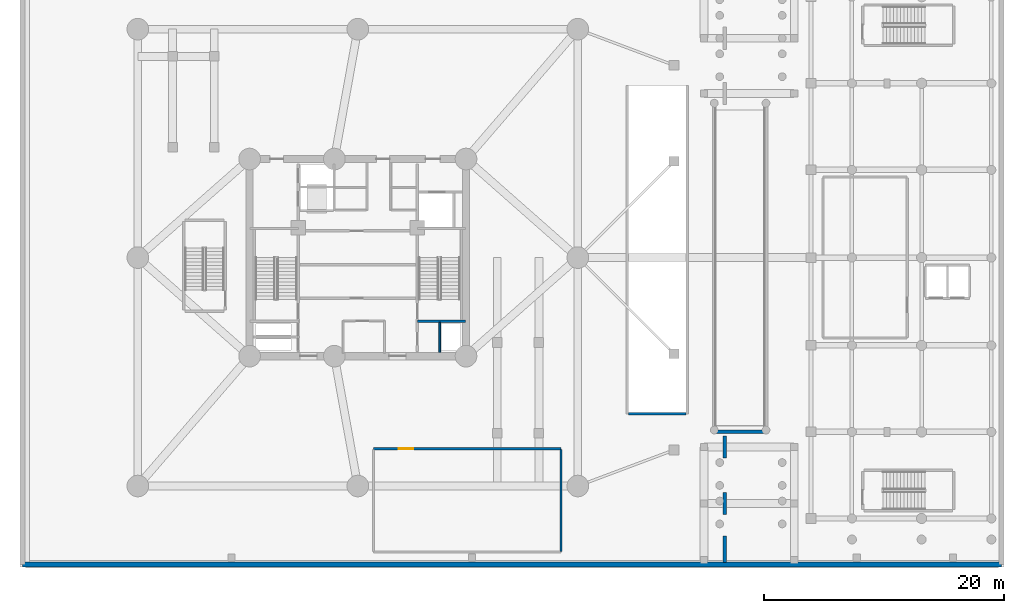
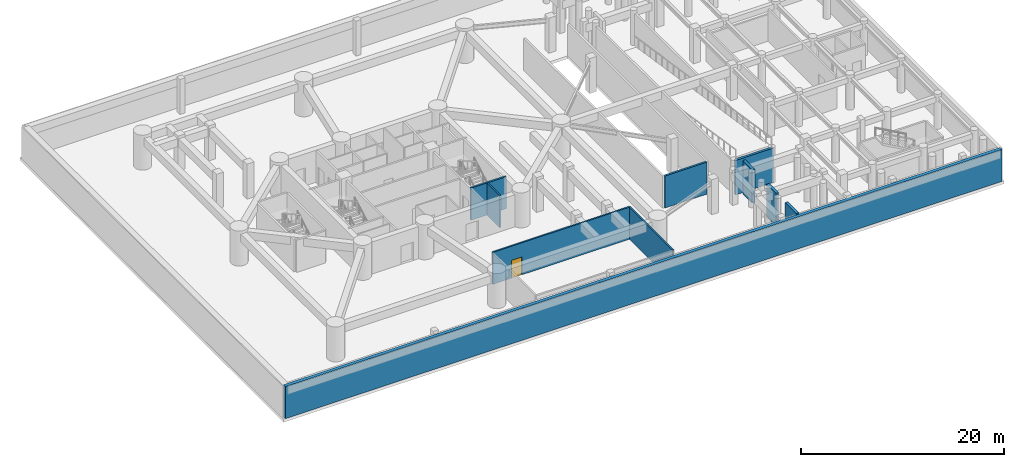
# One storey, part 4 of 11: 10 walls, 1 door, 1 opening.
"""IFC4 building model written with IfcOpenShell, lengths in metres."""

from ifc_helpers import new_model, si_unit, direction, frame, frame_2d, origin, origin_with_axes, place, context, subcontext, project, spatial, rectangle, extrude, source, transform, mapped, material, layer, layer_set, type_object, element, fill, save


model = new_model("IFC4")

# Units and contexts
model_context = context("Model", 3, precision=1e-05, world=origin(), true_north=direction((0.0, 1.0)))
body_context = subcontext(model_context, "Body", "Model", "MODEL_VIEW")
ifc_project = project(units=[si_unit("LENGTHUNIT", "METRE"), si_unit("AREAUNIT", "SQUARE_METRE"), si_unit("VOLUMEUNIT", "CUBIC_METRE"), si_unit("PLANEANGLEUNIT", "RADIAN"), si_unit("MASSUNIT", "GRAM", prefix="KILO")], contexts=[model_context])

# Site, building, storey
site_placement = place(None, origin())
site = spatial("IfcSite", under=ifc_project, at=site_placement, CompositionType="ELEMENT")
building_placement = place(site_placement, origin())
building = spatial("IfcBuilding", under=site, at=building_placement, Name="Karkom Vertical University and Central Library", CompositionType="ELEMENT")
storey_placement = place(building_placement, frame((0.0, 0.0, -4.199951171875)))
storey = spatial("IfcBuildingStorey", under=building, at=storey_placement, Name="B01", CompositionType="ELEMENT", Elevation=-4.199951171875)

# Wall
ifc_material_1 = material(Name="Metal-stud gypsum partition 140mm", Category="gypsum")
ifc_layer_1 = layer(ifc_material_1, 0.139892578125)
ifc_layer_set_1 = layer_set([ifc_layer_1], Name="Metal-stud gypsum partition 140mm")
wall_type_1 = type_object("IfcWallType", Name="INT-WL-SUB-140H", PredefinedType="PARTITIONING", material=ifc_layer_set_1)
wall_1_placement = place(storey_placement, frame((35.320068359375, 18.60693359375, 0.0), z_axis=(0.0, 0.0, 1.0), x_axis=(0.0, 1.0, 0.0)))
element("IfcWall", 1, at=wall_1_placement, inside=storey, type_object=wall_type_1, Name="Basement 01 Interior Partition Wall B01-CW-RIS-E", PredefinedType="PARTITIONING", context=body_context, shape_type="SweptSolid", body=[
    extrude(rectangle(XDim=2.502685546875, YDim=0.139892578125, at=frame_2d((1.25146484375, 0.0))), origin(), (0.0, 0.0, 1.0), 3.849853515625),
])

# Wall, opening, door
ifc_material_2 = material(Name="Twin-stud acoustic drywall 180mm", Category="gypsum")
ifc_layer_2 = layer(ifc_material_2, 0.179931640625)
ifc_layer_set_2 = layer_set([ifc_layer_2], Name="Twin-stud acoustic drywall 180mm")
wall_type_2 = type_object("IfcWallType", Name="INT-WL-TEN-180F", PredefinedType="PARTITIONING", material=ifc_layer_set_2)
wall_2_placement = place(storey_placement, frame((29.800048828125, 10.60009765625, 0.0), z_axis=(0.0, 0.0, 1.0), x_axis=(1.0, 0.0, 0.0)))
wall_2 = element("IfcWall", 2, at=wall_2_placement, inside=storey, type_object=wall_type_2, Name="Basement 01 Interior Partition Wall B01-PW-PLTW-N", PredefinedType="PARTITIONING", context=body_context, shape_type="SweptSolid", body=[
    extrude(rectangle(XDim=15.599853515625, YDim=0.179931640625, at=frame_2d((7.7998046875, 0.0))), origin(), (0.0, 0.0, 1.0), 3.849853515625),
])
opening_placement = place(wall_2_placement, frame((2.10009765625, 0.0, 0.0)))
opening = element("IfcOpeningElement", 3, at=opening_placement, cuts=wall_2, Name="Opening FD-SUB1", PredefinedType="OPENING", context=body_context, shape_type="SweptSolid", body=[
    extrude(rectangle(XDim=1.199951171875, YDim=2.14990234375, at=frame_2d((0.60009765625, 1.074951171875))), frame((0.0, 0.10009765625, 0.0), z_axis=(0.0, -1.0, 0.0), x_axis=(1.0, 0.0, 0.0)), (0.0, 0.0, 1.0), 0.199951171875),
])
ifc_material_3 = material(Name="Painted steel fire door", Category="steel")
door_type = type_object("IfcDoorType", Name="INT-DR-SUB1", OperationType="NOTDEFINED", PredefinedType="DOOR", material=ifc_material_3)
shared_shape = source(origin_with_axes(), body_context, "Body", "SweptSolid", [
    extrude(rectangle(XDim=1.199951171875, YDim=2.14990234375, at=frame_2d((0.60009765625, 1.074951171875))), frame((0.0, 0.02490234375, 0.0), z_axis=(0.0, -1.0, 0.0), x_axis=(1.0, 0.0, 0.0)), (0.0, 0.0, 1.0), 0.050048828125),
])
door_placement = place(opening_placement, origin())
door = element("IfcDoor", 4, at=door_placement, inside=storey, type_object=door_type, Name="Basement 01 Standby Generator and Transformer Plant Door", OperationType="SINGLE_SWING_RIGHT", OverallHeight=2.14990234375, OverallWidth=1.199951171875, PredefinedType="DOOR", context=body_context, shape_type="MappedRepresentation", body=[
    mapped(shared_shape, transform((0.0, 0.0, 0.0), scale=1.0)),
])
fill(opening, door)

# Walls
wall_3_placement = place(storey_placement, frame((45.39990234375, 2.06005859375, 0.0), z_axis=(0.0, 0.0, 1.0), x_axis=(0.0, 1.0, 0.0)))
element("IfcWall", 5, at=wall_3_placement, inside=storey, type_object=wall_type_2, Name="Basement 01 Interior Partition Wall B01-PW-PLTW-E", PredefinedType="PARTITIONING", context=body_context, shape_type="SweptSolid", body=[
    extrude(rectangle(XDim=8.47998046875, YDim=0.179931640625, at=frame_2d((4.239990234375, 0.0))), origin(), (0.0, 0.0, 1.0), 3.849853515625),
])
ifc_material_4 = material(Name="Concrete C45/55", Category="concrete")
ifc_layer_3 = layer(ifc_material_4, 0.219970703125)
ifc_layer_set_3 = layer_set([ifc_layer_3], Name="Concrete C45/55")
wall_type_3 = type_object("IfcWallType", Name="STR-WL-CW-220", PredefinedType="SHEAR", material=ifc_layer_set_3)
wall_4_placement = place(storey_placement, frame((51.02001953125, 13.5, 0.0), z_axis=(0.0, 0.0, 1.0), x_axis=(1.0, 0.0, 0.0)))
element("IfcWall", 6, at=wall_4_placement, inside=storey, type_object=wall_type_3, Name="Basement 01 Core Shaft Wall B01-W-RMP1-S", PredefinedType="SHEAR", context=body_context, shape_type="SweptSolid", body=[
    extrude(rectangle(XDim=4.760009765625, YDim=0.219970703125, at=frame_2d((2.3798828125, 0.0))), origin(), (0.0, 0.0, 1.0), 3.849853515625),
])
ifc_layer_4 = layer(ifc_material_4, 0.280029296875)
ifc_layer_set_4 = layer_set([ifc_layer_4], Name="Concrete C45/55")
wall_type_4 = type_object("IfcWallType", Name="STR-WL-CW-280", PredefinedType="SHEAR", material=ifc_layer_set_4)
wall_5_placement = place(storey_placement, frame((58.139892578125, 12.0, 0.0), z_axis=(0.0, 0.0, 1.0), x_axis=(1.0, 0.0, 0.0)))
element("IfcWall", 7, at=wall_5_placement, inside=storey, type_object=wall_type_4, Name="Basement 01 Core Shaft Wall B01-W-RMP2-S", PredefinedType="SHEAR", context=body_context, shape_type="SweptSolid", body=[
    extrude(rectangle(XDim=4.320068359375, YDim=0.280029296875, at=frame_2d((2.16015625, 0.0))), origin(), (0.0, 0.0, 1.0), 4.14501953125),
])
ifc_layer_5 = layer(ifc_material_4, 0.300048828125)
ifc_layer_set_5 = layer_set([ifc_layer_5], Name="Concrete C45/55")
wall_type_5 = type_object("IfcWallType", Name="STR-WL-CW-300", PredefinedType="SHEAR", material=ifc_layer_set_5)
wall_6_placement = place(storey_placement, frame((59.02001953125, 9.830078125, 0.0), z_axis=(0.0, 0.0, 1.0), x_axis=(0.0, 1.0, 0.0)))
element("IfcWall", 8, at=wall_6_placement, inside=storey, type_object=wall_type_5, Name="Basement 01 Pedestrian Ramp 1 Toe Support Stem Wall", PredefinedType="SHEAR", context=body_context, shape_type="SweptSolid", body=[
    extrude(rectangle(XDim=1.83984375, YDim=0.300048828125, at=frame_2d((0.919921875, 0.0))), origin(), (0.0, 0.0, 1.0), 4.02001953125),
])
wall_7_placement = place(storey_placement, frame((59.02001953125, 5.1298828125, 0.0), z_axis=(0.0, 0.0, 1.0), x_axis=(0.0, 1.0, 0.0)))
element("IfcWall", 9, at=wall_7_placement, inside=storey, type_object=wall_type_5, Name="Basement 01 Pedestrian Ramp 2 Toe Support Stem Wall", PredefinedType="SHEAR", context=body_context, shape_type="SweptSolid", body=[
    extrude(rectangle(XDim=1.840087890625, YDim=0.300048828125, at=frame_2d((0.919921875, 0.0))), origin(), (0.0, 0.0, 1.0), 4.02001953125),
])
wall_8_placement = place(storey_placement, frame((59.02001953125, 1.14990234375, 0.0), z_axis=(0.0, 0.0, 1.0), x_axis=(0.0, 1.0, 0.0)))
element("IfcWall", 10, at=wall_8_placement, inside=storey, type_object=wall_type_5, Name="Basement 01 Pedestrian Ramp 5 Toe Support Stem Wall", PredefinedType="SHEAR", context=body_context, shape_type="SweptSolid", body=[
    extrude(rectangle(XDim=2.190185546875, YDim=0.300048828125, at=frame_2d((1.09521484375, 0.0))), origin(), (0.0, 0.0, 1.0), 4.02001953125),
])
ifc_material_5 = material(Name="Concrete C50/60", Category="concrete")
ifc_layer_6 = layer(ifc_material_5, 0.39990234375)
ifc_layer_set_6 = layer_set([ifc_layer_6], Name="Concrete C50/60")
wall_type_6 = type_object("IfcWallType", Name="STR-WL-RW-400", PredefinedType="USERDEFINED", material=ifc_layer_set_6)
wall_9_placement = place(storey_placement, frame((0.6201171875, 0.969970703125, 0.0), z_axis=(0.0, 0.0, 1.0), x_axis=(1.0, 0.0, 0.0)))
element("IfcWall", 11, at=wall_9_placement, inside=storey, type_object=wall_type_6, Name="Basement 01 Perimeter Retaining Wall 1", ObjectType="RETAINING WALL", PredefinedType="USERDEFINED", context=body_context, shape_type="SweptSolid", body=[
    extrude(rectangle(XDim=81.409912109375, YDim=0.39990234375, at=frame_2d((40.705078125, 0.0))), origin(), (0.0, 0.0, 1.0), 3.849853515625),
])
ifc_layer_7 = layer(ifc_material_4, 0.199951171875)
ifc_layer_set_7 = layer_set([ifc_layer_7], Name="Concrete C45/55")
wall_type_7 = type_object("IfcWallType", Name="STR-WL-ST-200", PredefinedType="SHEAR", material=ifc_layer_set_7)
wall_10_placement = place(storey_placement, frame((33.455078125, 21.215087890625, 0.0), z_axis=(0.0, 0.0, 1.0), x_axis=(1.0, 0.0, 0.0)))
element("IfcWall", 12, at=wall_10_placement, inside=storey, type_object=wall_type_7, Name="Basement 01 Core Shaft Wall B01-CW-ST2-S", PredefinedType="SHEAR", context=body_context, shape_type="SweptSolid", body=[
    extrude(rectangle(XDim=3.994873046875, YDim=0.199951171875, at=frame_2d((1.99755859375, 0.0))), origin(), (0.0, 0.0, 1.0), 3.849853515625),
])

save(model, "model.ifc")
